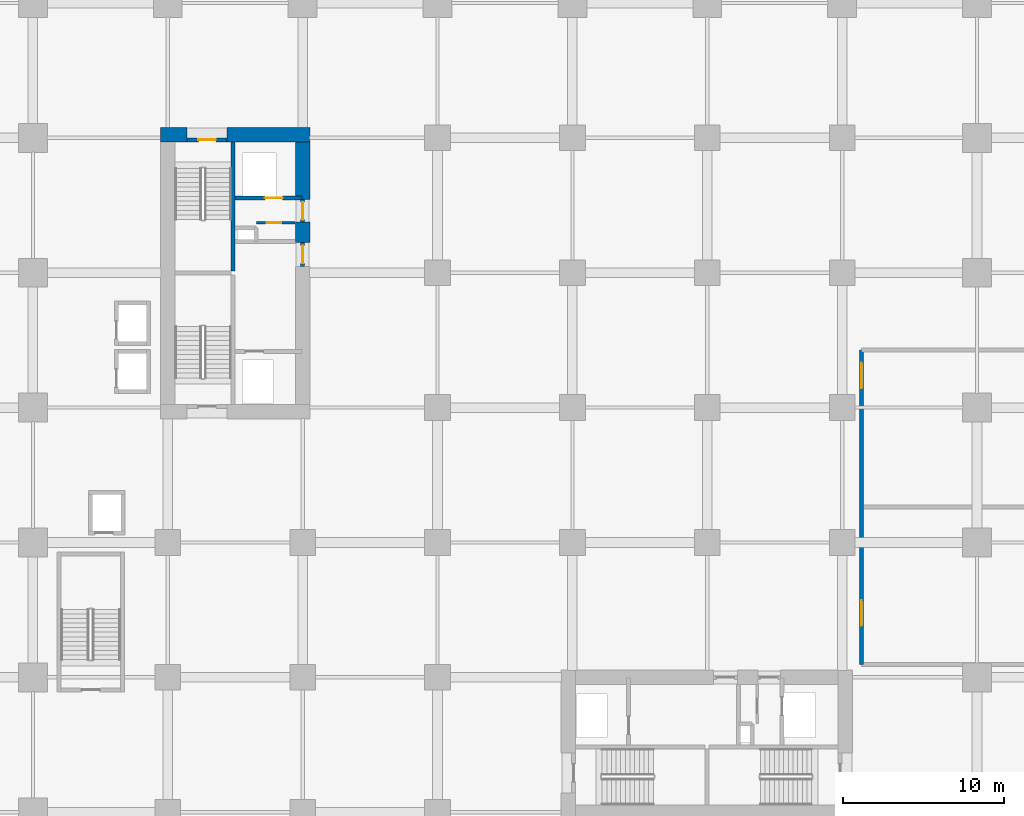
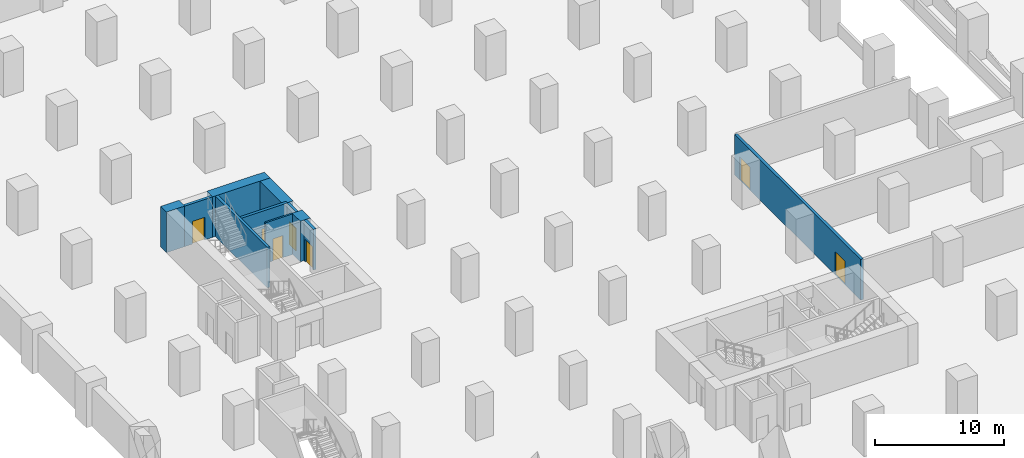
# One storey, part 9 of 13: 11 walls, 7 doors, 7 openings.
"""IFC4 building model written with IfcOpenShell, lengths in metres."""

from ifc_helpers import new_model, si_unit, direction, frame, frame_2d, origin, place, context, subcontext, project, spatial, rectangle, extrude, material, layer, layer_set, type_object, element, fill, save


model = new_model("IFC4")

# Units and contexts
model_context = context("Model", 3, precision=1e-05, world=origin(), true_north=direction((0.0, 1.0)))
body_context = subcontext(model_context, "Body", "Model", "MODEL_VIEW")
ifc_project = project(units=[si_unit("LENGTHUNIT", "METRE"), si_unit("AREAUNIT", "SQUARE_METRE"), si_unit("VOLUMEUNIT", "CUBIC_METRE"), si_unit("PLANEANGLEUNIT", "RADIAN"), si_unit("MASSUNIT", "GRAM", prefix="KILO")], contexts=[model_context])

# Site, building, storey
site_placement = place(None, origin())
site = spatial("IfcSite", under=ifc_project, at=site_placement, CompositionType="ELEMENT")
building_placement = place(site_placement, origin())
building = spatial("IfcBuilding", under=site, at=building_placement, Name="Koriwani Terraces Tower", CompositionType="ELEMENT")
storey_placement = place(building_placement, frame((0.0, 0.0, -4.199951171875)))
storey = spatial("IfcBuildingStorey", under=building, at=storey_placement, Name="B01", CompositionType="ELEMENT", Elevation=-4.199951171875)

# Walls
ifc_material_1 = material(Name="Concrete C60/75", Category="concrete")
ifc_layer_1 = layer(ifc_material_1, 0.89990234375, Name="Concrete C60/75")
ifc_layer_set_1 = layer_set([ifc_layer_1], Name="Concrete C60/75")
wall_type_1 = type_object("IfcWallType", Name="WALL_CORE_RC_900", PredefinedType="SHEAR", material=ifc_layer_set_1)
wall_1_placement = place(storey_placement, frame((16.35009765625, 59.0, 0.0), z_axis=(0.0, 0.0, 1.0), x_axis=(1.0, 0.0, 0.0)))
element("IfcWall", 1, at=wall_1_placement, inside=storey, type_object=wall_type_1, Name="B01 West Split Core Shear Wall N1", PredefinedType="SHEAR", context=body_context, shape_type="SweptSolid", body=[
    extrude(rectangle(XDim=1.64990234375, YDim=0.89990234375, at=frame_2d((0.824951171875, 0.0))), origin(), (0.0, 0.0, 1.0), 3.849853515625),
])
wall_2_placement = place(storey_placement, frame((20.5, 59.0, 0.0), z_axis=(0.0, 0.0, 1.0), x_axis=(1.0, 0.0, 0.0)))
element("IfcWall", 2, at=wall_2_placement, inside=storey, type_object=wall_type_1, Name="B01 West Split Core Shear Wall N2", PredefinedType="SHEAR", context=body_context, shape_type="SweptSolid", body=[
    extrude(rectangle(XDim=5.14990234375, YDim=0.89990234375, at=frame_2d((2.574951171875, 0.0))), origin(), (0.0, 0.0, 1.0), 3.849853515625),
])
wall_3_placement = place(storey_placement, frame((25.199951171875, 52.280029296875, 0.0), z_axis=(0.0, 0.0, 1.0), x_axis=(0.0, 1.0, 0.0)))
element("IfcWall", 3, at=wall_3_placement, inside=storey, type_object=wall_type_1, Name="B01 West Split Core Shear Wall E2", PredefinedType="SHEAR", context=body_context, shape_type="SweptSolid", body=[
    extrude(rectangle(XDim=1.27001953125, YDim=0.89990234375, at=frame_2d((0.635009765625, 0.0))), origin(), (0.0, 0.0, 1.0), 3.849853515625),
])
wall_4_placement = place(storey_placement, frame((25.199951171875, 54.949951171875, 0.0), z_axis=(0.0, 0.0, 1.0), x_axis=(0.0, 1.0, 0.0)))
element("IfcWall", 4, at=wall_4_placement, inside=storey, type_object=wall_type_1, Name="B01 West Split Core Shear Wall E3", PredefinedType="SHEAR", context=body_context, shape_type="SweptSolid", body=[
    extrude(rectangle(XDim=3.60009765625, YDim=0.89990234375, at=frame_2d((1.800048828125, 0.0))), origin(), (0.0, 0.0, 1.0), 3.849853515625),
])
ifc_material_2 = material(Name="Concrete C40/50", Category="concrete")
ifc_layer_2 = layer(ifc_material_2, 0.25, Name="Concrete C40/50")
ifc_layer_set_2 = layer_set([ifc_layer_2], Name="Concrete C40/50")
wall_type_2 = type_object("IfcWallType", Name="WALL_SHAFT_RATED_250", PredefinedType="SOLIDWALL", material=ifc_layer_set_2)
wall_5_placement = place(storey_placement, frame((20.875, 50.5, 0.0), z_axis=(0.0, 0.0, 1.0), x_axis=(0.0, 1.0, 0.0)))
element("IfcWall", 5, at=wall_5_placement, inside=storey, type_object=wall_type_2, Name="B01 West Split Core Web Wall MID2", PredefinedType="SOLIDWALL", context=body_context, shape_type="SweptSolid", body=[
    extrude(rectangle(XDim=8.050048828125, YDim=0.25, at=frame_2d((4.02490234375, 0.0))), origin(), (0.0, 0.0, 1.0), 3.849853515625),
])

# Wall, opening, door
wall_6_placement = place(storey_placement, frame((18.0, 58.675048828125, 0.0), z_axis=(0.0, 0.0, 1.0), x_axis=(1.0, 0.0, 0.0)))
wall_6 = element("IfcWall", 6, at=wall_6_placement, inside=storey, type_object=wall_type_2, Name="B01 Interior Wall WIN-CW-B01-STN", PredefinedType="SOLIDWALL", context=body_context, shape_type="SweptSolid", body=[
    extrude(rectangle(XDim=2.5, YDim=0.25, at=frame_2d((1.25, 0.0))), origin(), (0.0, 0.0, 1.0), 3.849853515625),
])
opening_1_placement = place(wall_6_placement, frame((0.699951171875, 0.0, 0.0)))
opening_1 = element("IfcOpeningElement", 7, at=opening_1_placement, cuts=wall_6, Name="Opening D-03", PredefinedType="OPENING", context=body_context, shape_type="SweptSolid", body=[
    extrude(rectangle(XDim=1.10009765625, YDim=2.14990234375, at=frame_2d((0.550048828125, 1.074951171875))), frame((0.0, 0.135009765625, 0.0), z_axis=(0.0, -1.0, 0.0), x_axis=(1.0, 0.0, 0.0)), (0.0, 0.0, 1.0), 0.27001953125),
])
ifc_material_3 = material(Name="Steel ASTM A572 Grade 50", Category="steel")
door_type_1 = type_object("IfcDoorType", Name="DOOR_STAIR_FIRE_1100X2150", OperationType="NOTDEFINED", PredefinedType="DOOR", material=ifc_material_3)
door_1_placement = place(opening_1_placement, origin())
door_1 = element("IfcDoor", 8, at=door_1_placement, inside=storey, type_object=door_type_1, Name="B01 Exit Stair ST-W2 Door", OperationType="SINGLE_SWING_RIGHT", OverallHeight=2.14990234375, OverallWidth=1.10009765625, PredefinedType="DOOR", context=body_context, shape_type="SweptSolid", body=[
    extrude(rectangle(XDim=1.10009765625, YDim=2.14990234375, at=frame_2d((0.550048828125, 1.074951171875))), frame((0.0, 0.02490234375, 0.0), z_axis=(0.0, -1.0, 0.0), x_axis=(1.0, 0.0, 0.0)), (0.0, 0.0, 1.0), 0.050048828125),
])
fill(opening_1, door_1)

wall_7_placement = place(storey_placement, frame((25.199951171875, 50.800048828125, 0.0), z_axis=(0.0, 0.0, 1.0), x_axis=(0.0, 1.0, 0.0)))
wall_7 = element("IfcWall", 9, at=wall_7_placement, inside=storey, type_object=wall_type_2, Name="B01 Interior Wall WIN-CW-B01-EP", PredefinedType="SOLIDWALL", context=body_context, shape_type="SweptSolid", body=[
    extrude(rectangle(XDim=1.47998046875, YDim=0.25, at=frame_2d((0.739990234375, 0.0))), origin(), (0.0, 0.0, 1.0), 3.849853515625),
])
opening_2_placement = place(wall_7_placement, frame((0.179931640625, 0.0, 0.0)))
opening_2 = element("IfcOpeningElement", 10, at=opening_2_placement, cuts=wall_7, Name="Opening D-03", PredefinedType="OPENING", context=body_context, shape_type="SweptSolid", body=[
    extrude(rectangle(XDim=1.10009765625, YDim=2.14990234375, at=frame_2d((0.550048828125, 1.074951171875))), frame((0.0, 0.135009765625, 0.0), z_axis=(0.0, -1.0, 0.0), x_axis=(1.0, 0.0, 0.0)), (0.0, 0.0, 1.0), 0.27001953125),
])
door_2_placement = place(opening_2_placement, origin())
door_2 = element("IfcDoor", 11, at=door_2_placement, inside=storey, type_object=door_type_1, Name="B01 West Firefighting Lobby Door", OperationType="SINGLE_SWING_LEFT", OverallHeight=2.14990234375, OverallWidth=1.10009765625, PredefinedType="DOOR", context=body_context, shape_type="SweptSolid", body=[
    extrude(rectangle(XDim=1.10009765625, YDim=2.14990234375, at=frame_2d((0.550048828125, 1.074951171875))), frame((0.0, 0.02490234375, 0.0), z_axis=(0.0, -1.0, 0.0), x_axis=(1.0, 0.0, 0.0)), (0.0, 0.0, 1.0), 0.050048828125),
])
fill(opening_2, door_2)

wall_8_placement = place(storey_placement, frame((21.0, 55.050048828125, 0.0), z_axis=(0.0, 0.0, 1.0), x_axis=(1.0, 0.0, 0.0)))
wall_8 = element("IfcWall", 12, at=wall_8_placement, inside=storey, type_object=wall_type_2, Name="B01 Interior Wall WIN-CW-B01-SE", PredefinedType="SOLIDWALL", context=body_context, shape_type="SweptSolid", body=[
    extrude(rectangle(XDim=4.14990234375, YDim=0.25, at=frame_2d((2.074951171875, 0.0))), origin(), (0.0, 0.0, 1.0), 3.849853515625),
])
opening_3_placement = place(wall_8_placement, frame((1.85009765625, 0.0, 0.0)))
opening_3 = element("IfcOpeningElement", 13, at=opening_3_placement, cuts=wall_8, Name="Opening LD-01", PredefinedType="OPENING", context=body_context, shape_type="SweptSolid", body=[
    extrude(rectangle(XDim=1.10009765625, YDim=2.14990234375, at=frame_2d((0.550048828125, 1.074951171875))), frame((0.0, 0.135009765625, 0.0), z_axis=(0.0, -1.0, 0.0), x_axis=(1.0, 0.0, 0.0)), (0.0, 0.0, 1.0), 0.27001953125),
])
door_type_2 = type_object("IfcDoorType", Name="DOOR_LIFT_LANDING_1100X2200", OperationType="NOTDEFINED", PredefinedType="DOOR", material=ifc_material_3)
door_3_placement = place(opening_3_placement, origin())
door_3 = element("IfcDoor", 14, at=door_3_placement, inside=storey, type_object=door_type_2, Name="B01 Goods Lift SE-01 Landing Door", OperationType="SLIDING_TO_LEFT", OverallHeight=2.14990234375, OverallWidth=1.10009765625, PredefinedType="DOOR", context=body_context, shape_type="SweptSolid", body=[
    extrude(rectangle(XDim=1.10009765625, YDim=2.14990234375, at=frame_2d((0.550048828125, 1.074951171875))), frame((0.0, 0.02490234375, 0.0), z_axis=(0.0, -1.0, 0.0), x_axis=(1.0, 0.0, 0.0)), (0.0, 0.0, 1.0), 0.050048828125),
])
fill(opening_3, door_3)

wall_9_placement = place(storey_placement, frame((25.199951171875, 53.550048828125, 0.0), z_axis=(0.0, 0.0, 1.0), x_axis=(0.0, 1.0, 0.0)))
wall_9 = element("IfcWall", 15, at=wall_9_placement, inside=storey, type_object=wall_type_2, Name="B01 Interior Wall WIN-CW-B01-EP2", PredefinedType="SOLIDWALL", context=body_context, shape_type="SweptSolid", body=[
    extrude(rectangle(XDim=1.39990234375, YDim=0.25, at=frame_2d((0.699951171875, 0.0))), origin(), (0.0, 0.0, 1.0), 3.849853515625),
])
opening_4_placement = place(wall_9_placement, frame((0.14990234375, 0.0, 0.0)))
opening_4 = element("IfcOpeningElement", 16, at=opening_4_placement, cuts=wall_9, Name="Opening D-03", PredefinedType="OPENING", context=body_context, shape_type="SweptSolid", body=[
    extrude(rectangle(XDim=1.10009765625, YDim=2.14990234375, at=frame_2d((0.550048828125, 1.074951171875))), frame((0.0, 0.135009765625, 0.0), z_axis=(0.0, -1.0, 0.0), x_axis=(1.0, 0.0, 0.0)), (0.0, 0.0, 1.0), 0.27001953125),
])
door_4_placement = place(opening_4_placement, origin())
door_4 = element("IfcDoor", 17, at=door_4_placement, inside=storey, type_object=door_type_1, Name="B01 West Goods Lift Lobby Door", OperationType="SINGLE_SWING_RIGHT", OverallHeight=2.14990234375, OverallWidth=1.10009765625, PredefinedType="DOOR", context=body_context, shape_type="SweptSolid", body=[
    extrude(rectangle(XDim=1.10009765625, YDim=2.14990234375, at=frame_2d((0.550048828125, 1.074951171875))), frame((0.0, 0.02490234375, 0.0), z_axis=(0.0, -1.0, 0.0), x_axis=(1.0, 0.0, 0.0)), (0.0, 0.0, 1.0), 0.050048828125),
])
fill(opening_4, door_4)

# Wall, openings, doors
wall_10_placement = place(storey_placement, frame((60.0, 26.0, 0.0), z_axis=(0.0, 0.0, 1.0), x_axis=(0.0, 1.0, 0.0)))
wall_10 = element("IfcWall", 18, at=wall_10_placement, inside=storey, type_object=wall_type_2, Name="B01 Interior Wall WBAS-B01-PL1", PredefinedType="SOLIDWALL", context=body_context, shape_type="SweptSolid", body=[
    extrude(rectangle(XDim=19.60009765625, YDim=0.25, at=frame_2d((9.800048828125, 0.0))), origin(), (0.0, 0.0, 1.0), 3.849853515625),
])
opening_5_placement = place(wall_10_placement, frame((2.39990234375, 0.0, 0.0)))
opening_5 = element("IfcOpeningElement", 19, at=opening_5_placement, cuts=wall_10, Name="Opening D-08", PredefinedType="OPENING", context=body_context, shape_type="SweptSolid", body=[
    extrude(rectangle(XDim=1.60009765625, YDim=2.199951171875, at=frame_2d((0.800048828125, 1.10009765625))), frame((0.0, 0.135009765625, 0.0), z_axis=(0.0, -1.0, 0.0), x_axis=(1.0, 0.0, 0.0)), (0.0, 0.0, 1.0), 0.27001953125),
])
opening_6_placement = place(wall_10_placement, frame((17.199951171875, 0.0, 0.0)))
opening_6 = element("IfcOpeningElement", 20, at=opening_6_placement, cuts=wall_10, Name="Opening D-08", PredefinedType="OPENING", context=body_context, shape_type="SweptSolid", body=[
    extrude(rectangle(XDim=1.60009765625, YDim=2.199951171875, at=frame_2d((0.800048828125, 1.10009765625))), frame((0.0, 0.135009765625, 0.0), z_axis=(0.0, -1.0, 0.0), x_axis=(1.0, 0.0, 0.0)), (0.0, 0.0, 1.0), 0.27001953125),
])
door_type_3 = type_object("IfcDoorType", Name="DOOR_PLANT_DOUBLE_1600X2200", OperationType="NOTDEFINED", PredefinedType="DOOR", material=ifc_material_3)
door_5_placement = place(opening_5_placement, origin())
door_5 = element("IfcDoor", 21, at=door_5_placement, inside=storey, type_object=door_type_3, Name="B01 Fire and Domestic Water Cistern Door", OperationType="SINGLE_SWING_LEFT", OverallHeight=2.199951171875, OverallWidth=1.60009765625, PredefinedType="DOOR", context=body_context, shape_type="SweptSolid", body=[
    extrude(rectangle(XDim=1.60009765625, YDim=2.199951171875, at=frame_2d((0.800048828125, 1.10009765625))), frame((0.0, 0.02490234375, 0.0), z_axis=(0.0, -1.0, 0.0), x_axis=(1.0, 0.0, 0.0)), (0.0, 0.0, 1.0), 0.050048828125),
])
fill(opening_5, door_5)
door_6_placement = place(opening_6_placement, origin())
door_6 = element("IfcDoor", 22, at=door_6_placement, inside=storey, type_object=door_type_3, Name="B01 Medium-Voltage GIS Substation Door", OperationType="SINGLE_SWING_RIGHT", OverallHeight=2.199951171875, OverallWidth=1.60009765625, PredefinedType="DOOR", context=body_context, shape_type="SweptSolid", body=[
    extrude(rectangle(XDim=1.60009765625, YDim=2.199951171875, at=frame_2d((0.800048828125, 1.10009765625))), frame((0.0, 0.02490234375, 0.0), z_axis=(0.0, -1.0, 0.0), x_axis=(1.0, 0.0, 0.0)), (0.0, 0.0, 1.0), 0.050048828125),
])
fill(opening_6, door_6)

# Wall, opening, door
ifc_material_4 = material(Name="Fire-Rated Acoustic Gypsum Partition", Category="masonry")
ifc_layer_3 = layer(ifc_material_4, 0.159912109375, Name="Fire-Rated Acoustic Gypsum Partition")
ifc_layer_set_3 = layer_set([ifc_layer_3], Name="Fire-Rated Acoustic Gypsum Partition")
wall_type_3 = type_object("IfcWallType", Name="WALL_SUITE_160", PredefinedType="PARTITIONING", material=ifc_layer_set_3)
wall_11_placement = place(storey_placement, frame((22.320068359375, 53.52001953125, 0.0), z_axis=(0.0, 0.0, 1.0), x_axis=(1.0, 0.0, 0.0)))
wall_11 = element("IfcWall", 23, at=wall_11_placement, inside=storey, type_object=wall_type_3, Name="B01 Interior Wall WIN-CW-B01-SV0", PredefinedType="PARTITIONING", context=body_context, shape_type="SweptSolid", body=[
    extrude(rectangle(XDim=2.39990234375, YDim=0.159912109375, at=frame_2d((1.199951171875, 0.0))), origin(), (0.0, 0.0, 1.0), 3.849853515625),
])
opening_7_placement = place(wall_11_placement, frame((0.64990234375, 0.0, 0.0)))
opening_7 = element("IfcOpeningElement", 24, at=opening_7_placement, cuts=wall_11, Name="Opening D-07", PredefinedType="OPENING", context=body_context, shape_type="SweptSolid", body=[
    extrude(rectangle(XDim=0.89990234375, YDim=2.10009765625, at=frame_2d((0.449951171875, 1.050048828125))), frame((0.0, 0.08984375, 0.0), z_axis=(0.0, -1.0, 0.0), x_axis=(1.0, 0.0, 0.0)), (0.0, 0.0, 1.0), 0.179931640625),
])
ifc_material_5 = material(Name="Architectural Oak Fire Door", Category="wood")
door_type_4 = type_object("IfcDoorType", Name="DOOR_BATH_INT_900X2100", OperationType="NOTDEFINED", PredefinedType="DOOR", material=ifc_material_5)
door_7_placement = place(opening_7_placement, origin())
door_7 = element("IfcDoor", 25, at=door_7_placement, inside=storey, type_object=door_type_4, Name="B01 West Electrical Switch Room Door", OperationType="SINGLE_SWING_LEFT", OverallHeight=2.10009765625, OverallWidth=0.89990234375, PredefinedType="DOOR", context=body_context, shape_type="SweptSolid", body=[
    extrude(rectangle(XDim=0.89990234375, YDim=2.10009765625, at=frame_2d((0.449951171875, 1.050048828125))), frame((0.0, 0.02490234375, 0.0), z_axis=(0.0, -1.0, 0.0), x_axis=(1.0, 0.0, 0.0)), (0.0, 0.0, 1.0), 0.050048828125),
])
fill(opening_7, door_7)

save(model, "model.ifc")
